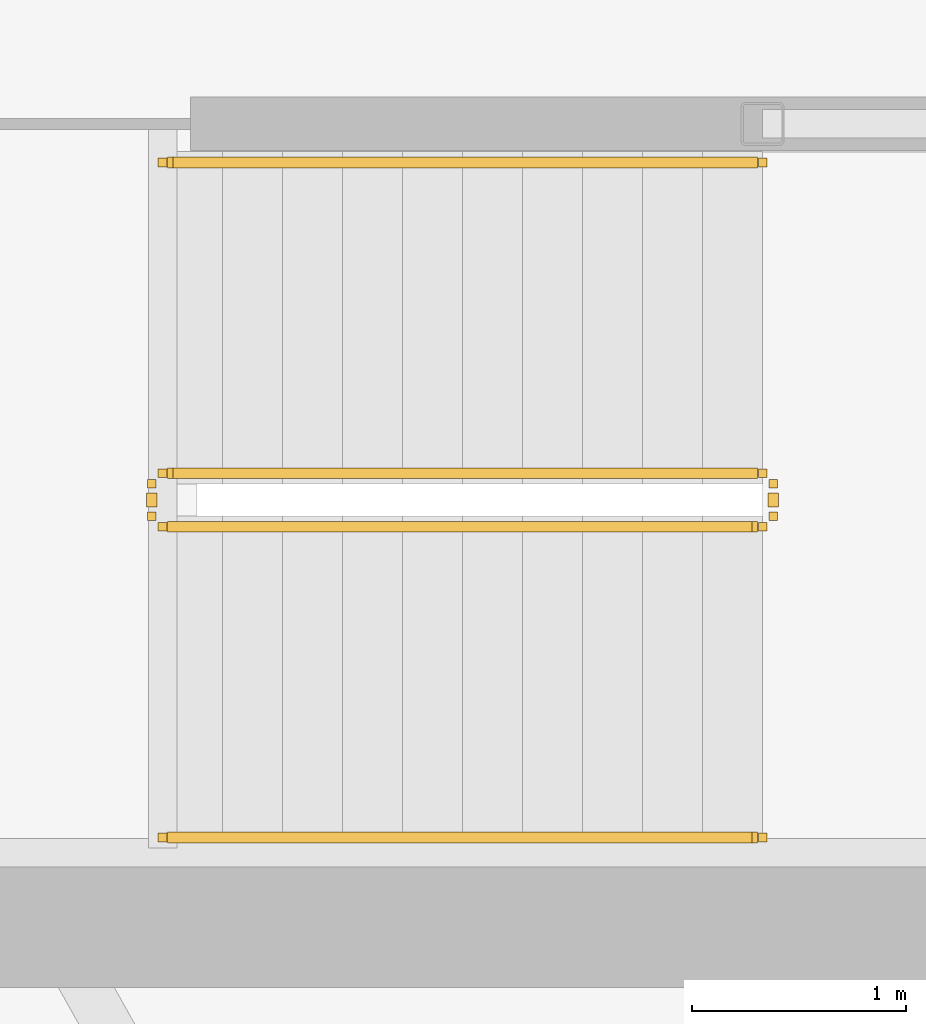
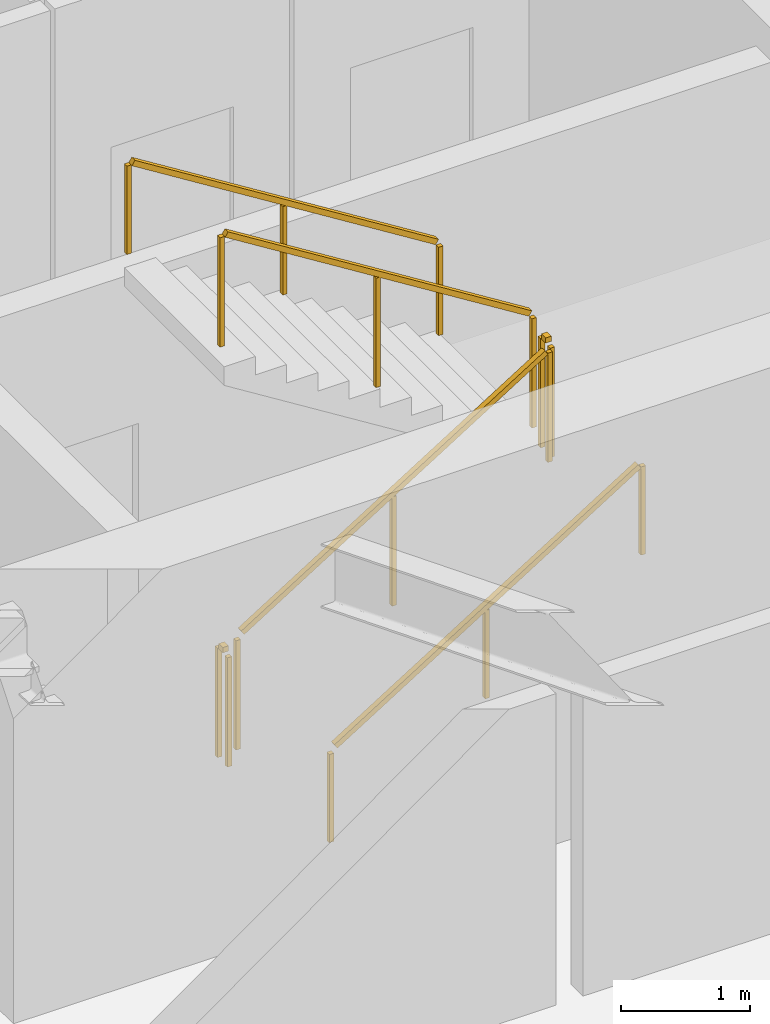
# One storey, part 27 of 30: 6 railings.
"""IFC4 building model written with IfcOpenShell, lengths in metres."""

from ifc_helpers import new_model, si_unit, direction, frame, origin, origin_2d, place, context, subcontext, project, spatial, rectangle, extrude, material, type_object, element, save


model = new_model("IFC4")

# Units and contexts
model_context = context("Model", 3, precision=1e-05, world=origin(), true_north=direction((0.0, 1.0)))
body_context = subcontext(model_context, "Body", "Model", "MODEL_VIEW")
ifc_project = project(units=[si_unit("LENGTHUNIT", "METRE"), si_unit("AREAUNIT", "SQUARE_METRE"), si_unit("VOLUMEUNIT", "CUBIC_METRE"), si_unit("PLANEANGLEUNIT", "RADIAN"), si_unit("MASSUNIT", "GRAM", prefix="KILO")], contexts=[model_context])

# Site, building, storey
site_placement = place(None, origin())
site = spatial("IfcSite", under=ifc_project, at=site_placement, CompositionType="ELEMENT")
building_placement = place(site_placement, origin())
building = spatial("IfcBuilding", under=site, at=building_placement, Name="Kazma Halo Residences", CompositionType="ELEMENT")
storey_placement = place(building_placement, frame((0.0, 0.0, 267.5)))
storey = spatial("IfcBuildingStorey", under=building, at=storey_placement, Name="L67", CompositionType="ELEMENT", Elevation=267.5)

# Railings
ifc_material_1 = material(Name="Painted Steel S355", Category="steel")
railing_type_1 = type_object("IfcRailingType", Name="RLG-STAIR-GRD-1100", PredefinedType="GUARDRAIL", material=ifc_material_1)
railing_1_placement = place(storey_placement, frame((53.199951171875, 35.5, 0.175048828125)))
element("IfcRailing", 1, at=railing_1_placement, inside=storey, type_object=railing_type_1, Name="L67 ST-03 stair guard 1", PredefinedType="GUARDRAIL", context=body_context, shape_type="SweptSolid", body=[
    extrude(rectangle(XDim=0.050048828125, YDim=0.050048828125, at=origin_2d()), frame((0.0361328125, 0.0, 1.09765625), z_axis=(0.848002457836, 0.0, 0.529992293815), x_axis=(0.0, 1.0, 0.0)), (0.0, 0.0, 1.0), 3.216796875),
    extrude(rectangle(XDim=0.0400390625, YDim=0.0400390625, at=origin_2d()), origin(), (0.0, 0.0, 1.0), 1.0380859375),
    extrude(rectangle(XDim=0.0400390625, YDim=0.0400390625, at=origin_2d()), frame((1.39990234375, 0.0, 0.875)), (0.0, 0.0, 1.0), 1.0380859375),
    extrude(rectangle(XDim=0.0400390625, YDim=0.0400390625, at=origin_2d()), frame((2.800048828125, 0.0, 1.75)), (0.0, 0.0, 1.0), 1.0380859375),
])
railing_2_placement = place(storey_placement, frame((56.050048828125, 35.550048828125, 1.925048828125)))
element("IfcRailing", 2, at=railing_2_placement, inside=storey, type_object=railing_type_1, Name="L67 ST-03 stair guard 2", PredefinedType="GUARDRAIL", context=body_context, shape_type="SweptSolid", body=[
    extrude(rectangle(XDim=0.050048828125, YDim=0.050048828125, at=origin_2d()), frame((0.0, 0.04248046875, 1.0751953125), z_axis=(0.0, 1.0, 0.0), x_axis=(-1.0, 0.0, 0.0)), (0.0, 0.0, 1.0), 0.06494140625),
    extrude(rectangle(XDim=0.0400390625, YDim=0.0400390625, at=origin_2d()), origin(), (0.0, 0.0, 1.0), 1.0380859375),
    extrude(rectangle(XDim=0.0400390625, YDim=0.0400390625, at=origin_2d()), frame((0.0, 0.14990234375, 0.0)), (0.0, 0.0, 1.0), 1.0380859375),
])
railing_3_placement = place(storey_placement, frame((56.0, 35.75, 2.10009765625)))
element("IfcRailing", 3, at=railing_3_placement, inside=storey, type_object=railing_type_1, Name="L67 ST-03 stair guard 3", PredefinedType="GUARDRAIL", context=body_context, shape_type="SweptSolid", body=[
    extrude(rectangle(XDim=0.050048828125, YDim=0.050048828125, at=origin_2d()), frame((-0.0361328125, 0.0, 1.09765625), z_axis=(-0.848002457836, 0.0, 0.529992293815), x_axis=(0.0, -1.0, 0.0)), (0.0, 0.0, 1.0), 3.216796875),
    extrude(rectangle(XDim=0.0400390625, YDim=0.0400390625, at=origin_2d()), origin(), (0.0, 0.0, 1.0), 1.0380859375),
    extrude(rectangle(XDim=0.0400390625, YDim=0.0400390625, at=origin_2d()), frame((-1.39990234375, 0.0, 0.875)), (0.0, 0.0, 1.0), 1.0380859375),
    extrude(rectangle(XDim=0.0400390625, YDim=0.0400390625, at=origin_2d()), frame((-2.800048828125, 0.0, 1.75)), (0.0, 0.0, 1.0), 1.0380859375),
])
railing_4_placement = place(storey_placement, frame((53.14990234375, 35.550048828125, 0.0)))
element("IfcRailing", 4, at=railing_4_placement, inside=storey, type_object=railing_type_1, Name="L67 ST-03 stair guard 4", PredefinedType="GUARDRAIL", context=body_context, shape_type="SweptSolid", body=[
    extrude(rectangle(XDim=0.050048828125, YDim=0.050048828125, at=origin_2d()), frame((0.0, 0.04248046875, 1.0751953125), z_axis=(0.0, 1.0, 0.0), x_axis=(-1.0, 0.0, 0.0)), (0.0, 0.0, 1.0), 0.06494140625),
    extrude(rectangle(XDim=0.0400390625, YDim=0.0400390625, at=origin_2d()), origin(), (0.0, 0.0, 1.0), 1.0380859375),
    extrude(rectangle(XDim=0.0400390625, YDim=0.0400390625, at=origin_2d()), frame((0.0, 0.14990234375, 0.0)), (0.0, 0.0, 1.0), 1.0380859375),
])
ifc_material_2 = material(Name="Brushed Stainless Steel", Category="steel")
railing_type_2 = type_object("IfcRailingType", Name="RLG-STAIR-HND-900", PredefinedType="HANDRAIL", material=ifc_material_2)
railing_5_placement = place(storey_placement, frame((53.199951171875, 34.050048828125, 0.175048828125)))
element("IfcRailing", 5, at=railing_5_placement, inside=storey, type_object=railing_type_2, Name="L67 ST-03 stair handrail 1", PredefinedType="HANDRAIL", context=body_context, shape_type="SweptSolid", body=[
    extrude(rectangle(XDim=0.050048828125, YDim=0.050048828125, at=origin_2d()), frame((0.0361328125, 0.0, 0.8974609375), z_axis=(0.848002457836, 0.0, 0.529992293815), x_axis=(0.0, 1.0, 0.0)), (0.0, 0.0, 1.0), 3.216796875),
    extrude(rectangle(XDim=0.0400390625, YDim=0.0400390625, at=origin_2d()), origin(), (0.0, 0.0, 1.0), 0.837890625),
    extrude(rectangle(XDim=0.0400390625, YDim=0.0400390625, at=origin_2d()), frame((1.39990234375, 0.0, 0.875)), (0.0, 0.0, 1.0), 0.837890625),
    extrude(rectangle(XDim=0.0400390625, YDim=0.0400390625, at=origin_2d()), frame((2.800048828125, 0.0, 1.75)), (0.0, 0.0, 1.0), 0.837890625),
])
railing_6_placement = place(storey_placement, frame((56.0, 37.199951171875, 2.10009765625)))
element("IfcRailing", 6, at=railing_6_placement, inside=storey, type_object=railing_type_2, Name="L67 ST-03 stair handrail 2", PredefinedType="HANDRAIL", context=body_context, shape_type="SweptSolid", body=[
    extrude(rectangle(XDim=0.050048828125, YDim=0.050048828125, at=origin_2d()), frame((-0.0361328125, 0.0, 0.8974609375), z_axis=(-0.848002457836, 0.0, 0.529992293815), x_axis=(0.0, -1.0, 0.0)), (0.0, 0.0, 1.0), 3.216796875),
    extrude(rectangle(XDim=0.0400390625, YDim=0.0400390625, at=origin_2d()), origin(), (0.0, 0.0, 1.0), 0.837890625),
    extrude(rectangle(XDim=0.0400390625, YDim=0.0400390625, at=origin_2d()), frame((-1.39990234375, 0.0, 0.875)), (0.0, 0.0, 1.0), 0.837890625),
    extrude(rectangle(XDim=0.0400390625, YDim=0.0400390625, at=origin_2d()), frame((-2.800048828125, 0.0, 1.75)), (0.0, 0.0, 1.0), 0.837890625),
])

save(model, "model.ifc")
